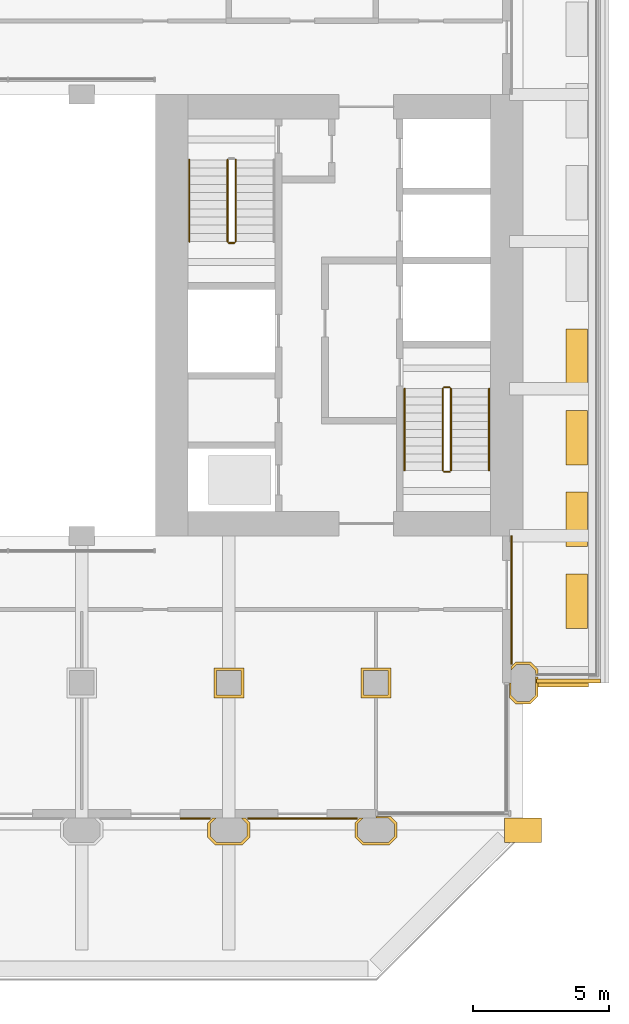
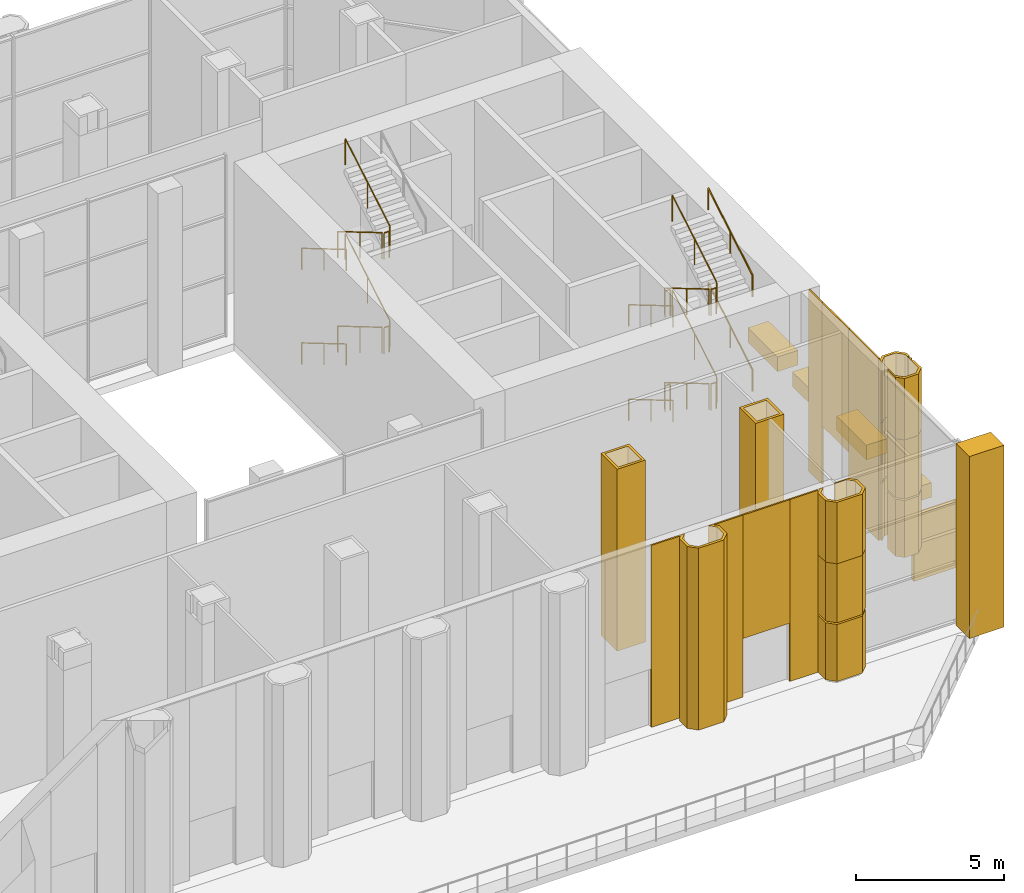
# One storey, part 16 of 20: 26 coverings, 20 railings.
"""IFC4 building model written with IfcOpenShell, lengths in metres."""

from ifc_helpers import new_model, si_unit, direction, frame, frame_2d, origin, origin_2d, place, context, subcontext, project, spatial, polyline, rectangle, circle, outline, extrude, material, layer, layer_set, type_object, element, save


model = new_model("IFC4")

# Units and contexts
model_context = context("Model", 3, precision=1e-05, world=origin(), true_north=direction((0.0, 1.0)))
body_context = subcontext(model_context, "Body", "Model", "MODEL_VIEW")
ifc_project = project(units=[si_unit("LENGTHUNIT", "METRE"), si_unit("AREAUNIT", "SQUARE_METRE"), si_unit("VOLUMEUNIT", "CUBIC_METRE"), si_unit("PLANEANGLEUNIT", "RADIAN"), si_unit("MASSUNIT", "GRAM", prefix="KILO")], contexts=[model_context])

# Site, building, storey
site_placement = place(None, origin())
site = spatial("IfcSite", under=ifc_project, at=site_placement, CompositionType="ELEMENT")
building_placement = place(site_placement, origin())
building = spatial("IfcBuilding", under=site, at=building_placement, Name="Tabaq Tower and Sports Hall", CompositionType="ELEMENT")
storey_placement = place(building_placement, frame((0.0, 0.0, 130.60009765625)))
storey = spatial("IfcBuildingStorey", under=building, at=storey_placement, Name="L31", CompositionType="ELEMENT", Elevation=130.60009765625)

# Coverings
ifc_material_1 = material(Name="Precast concrete C60/75", Category="concrete")
ifc_layer_1 = layer(ifc_material_1, 0.10009765625)
ifc_layer_set_1 = layer_set([ifc_layer_1], Name="Column cladding 100")
covering_type_1 = type_object("IfcCoveringType", Name="Column cladding 100", PredefinedType="CLADDING", material=ifc_layer_set_1)
covering_1_placement = place(storey_placement, origin())
element("IfcCovering", 1, at=covering_1_placement, inside=storey, type_object=covering_type_1, Name="Column cladding L31 PC-7B-S1", PredefinedType="CLADDING", context=body_context, shape_type="SweptSolid", body=[
    extrude(outline(polyline([(31.625244140625, 5.666259765625), (31.80859375, 5.849609375), (31.94921875, 5.849609375), (31.724609375, 5.625244140625), (31.724609375, 5.1748046875), (31.949951171875, 4.94970703125), (32.85009765625, 4.94970703125), (33.0751953125, 5.1748046875), (33.0751953125, 5.625244140625), (32.850830078125, 5.849609375), (32.9912109375, 5.849609375), (33.1748046875, 5.666259765625), (33.1748046875, 5.1337890625), (32.891357421875, 4.850341796875), (31.90869140625, 4.850341796875), (31.625244140625, 5.1337890625), (31.625244140625, 5.666259765625)])), origin(), (0.0, 0.0, 1.0), 7.5),
])
covering_2_placement = place(storey_placement, origin())
element("IfcCovering", 2, at=covering_2_placement, inside=storey, type_object=covering_type_1, Name="Column cladding L31 CC-7C-S1", PredefinedType="CLADDING", context=body_context, shape_type="SweptSolid", body=[
    extrude(outline(polyline([(31.850341796875, 11.349609375), (32.94970703125, 11.349609375), (32.94970703125, 10.250244140625), (31.850341796875, 10.250244140625), (31.850341796875, 11.349609375)]), holes=[polyline([(32.850341796875, 10.349609375), (32.850341796875, 11.250244140625), (31.94970703125, 11.250244140625), (31.94970703125, 10.349609375), (32.850341796875, 10.349609375)])]), origin(), (0.0, 0.0, 1.0), 7.5),
])
covering_3_placement = place(storey_placement, frame((0.0, 0.0, 0.114990234375)))
element("IfcCovering", 3, at=covering_3_placement, inside=storey, type_object=covering_type_1, Name="Column cladding L31 PC-8B-S1", PredefinedType="CLADDING", context=body_context, shape_type="SweptSolid", body=[
    extrude(outline(polyline([(37.025390625, 5.666259765625), (37.208740234375, 5.849609375), (37.349365234375, 5.849609375), (37.124755859375, 5.625244140625), (37.124755859375, 5.1748046875), (37.349853515625, 4.94970703125), (38.250244140625, 4.94970703125), (38.475341796875, 5.1748046875), (38.475341796875, 5.625244140625), (38.250244140625, 5.850341796875), (37.80029296875, 5.850341796875), (37.80029296875, 5.899658203125), (38.34130859375, 5.899658203125), (38.57470703125, 5.666259765625), (38.57470703125, 5.1337890625), (38.291259765625, 4.850341796875), (37.30859375, 4.850341796875), (37.025390625, 5.1337890625), (37.025390625, 5.666259765625)])), origin(), (0.0, 0.0, 1.0), 2.349853515625),
])
covering_4_placement = place(storey_placement, frame((0.0, 0.0, 2.534912109375)))
element("IfcCovering", 4, at=covering_4_placement, inside=storey, type_object=covering_type_1, Name="Column cladding L31 PC-8B-S1 2", PredefinedType="CLADDING", context=body_context, shape_type="SweptSolid", body=[
    extrude(outline(polyline([(37.025390625, 5.666259765625), (37.208740234375, 5.849609375), (37.349365234375, 5.849609375), (37.124755859375, 5.625244140625), (37.124755859375, 5.1748046875), (37.349853515625, 4.94970703125), (38.250244140625, 4.94970703125), (38.475341796875, 5.1748046875), (38.475341796875, 5.625244140625), (38.250244140625, 5.850341796875), (37.80029296875, 5.850341796875), (37.80029296875, 5.899658203125), (38.34130859375, 5.899658203125), (38.57470703125, 5.666259765625), (38.57470703125, 5.1337890625), (38.291259765625, 4.850341796875), (37.30859375, 4.850341796875), (37.025390625, 5.1337890625), (37.025390625, 5.666259765625)])), origin(), (0.0, 0.0, 1.0), 2.429931640625),
])
covering_5_placement = place(storey_placement, frame((0.0, 0.0, 4.96484375)))
element("IfcCovering", 5, at=covering_5_placement, inside=storey, type_object=covering_type_1, Name="Column cladding L31 PC-8B-S1 head", PredefinedType="CLADDING", context=body_context, shape_type="SweptSolid", body=[
    extrude(outline(polyline([(37.208740234375, 5.849609375), (37.349365234375, 5.849609375), (37.124755859375, 5.625244140625), (37.124755859375, 5.1748046875), (37.349853515625, 4.94970703125), (38.250244140625, 4.94970703125), (38.475341796875, 5.1748046875), (38.475341796875, 5.625244140625), (38.250244140625, 5.850341796875), (37.80029296875, 5.850341796875), (37.80029296875, 5.899658203125), (38.34130859375, 5.899658203125), (38.57470703125, 5.666259765625), (38.57470703125, 5.1337890625), (38.291259765625, 4.850341796875), (37.30859375, 4.850341796875), (37.025390625, 5.1337890625), (37.025390625, 5.666259765625), (37.208740234375, 5.849609375)])), origin(), (0.0, 0.0, 1.0), 2.53515625),
])
covering_6_placement = place(storey_placement, origin())
element("IfcCovering", 6, at=covering_6_placement, inside=storey, type_object=covering_type_1, Name="Column cladding L31 CC-8C-S1", PredefinedType="CLADDING", context=body_context, shape_type="SweptSolid", body=[
    extrude(outline(polyline([(37.250244140625, 11.349609375), (38.349609375, 11.349609375), (38.349609375, 10.250244140625), (37.250244140625, 10.250244140625), (37.250244140625, 11.349609375)]), holes=[polyline([(38.250244140625, 10.349609375), (38.250244140625, 11.250244140625), (37.349609375, 11.250244140625), (37.349609375, 10.349609375), (38.250244140625, 10.349609375)])]), origin(), (0.0, 0.0, 1.0), 7.5),
])
covering_7_placement = place(storey_placement, frame((0.0, 0.0, 0.114990234375)))
element("IfcCovering", 7, at=covering_7_placement, inside=storey, type_object=covering_type_1, Name="Column cladding L31 PC-9C-S1", PredefinedType="CLADDING", context=body_context, shape_type="SweptSolid", body=[
    extrude(outline(polyline([(42.93359375, 10.025390625), (42.7001953125, 10.2587890625), (42.7001953125, 10.7998046875), (42.749755859375, 10.7998046875), (42.749755859375, 10.349853515625), (42.974853515625, 10.124755859375), (43.425048828125, 10.124755859375), (43.650390625, 10.349853515625), (43.650390625, 11.009765625), (43.749755859375, 11.009765625), (43.749755859375, 10.9501953125), (43.69970703125, 10.9501953125), (43.69970703125, 10.7998046875), (43.749755859375, 10.7998046875), (43.749755859375, 10.30859375), (43.46630859375, 10.025390625), (42.93359375, 10.025390625)])), origin(), (0.0, 0.0, 1.0), 2.349853515625),
])
covering_8_placement = place(storey_placement, frame((0.0, 0.0, 0.114990234375)))
element("IfcCovering", 8, at=covering_8_placement, inside=storey, type_object=covering_type_1, Name="Column cladding L31 PC-9C-S1 2", PredefinedType="CLADDING", context=body_context, shape_type="SweptSolid", body=[
    extrude(outline(polyline([(42.93359375, 11.57470703125), (43.46630859375, 11.57470703125), (43.749755859375, 11.291259765625), (43.749755859375, 11.1103515625), (43.69970703125, 11.1103515625), (43.69970703125, 11.09033203125), (43.650390625, 11.09033203125), (43.650390625, 11.250244140625), (43.425048828125, 11.475341796875), (42.974853515625, 11.475341796875), (42.750244140625, 11.250732421875), (42.750244140625, 11.391357421875), (42.93359375, 11.57470703125)])), origin(), (0.0, 0.0, 1.0), 2.349853515625),
])
covering_9_placement = place(storey_placement, frame((0.0, 0.0, 2.534912109375)))
element("IfcCovering", 9, at=covering_9_placement, inside=storey, type_object=covering_type_1, Name="Column cladding L31 PC-9C-S1 2", PredefinedType="CLADDING", context=body_context, shape_type="SweptSolid", body=[
    extrude(outline(polyline([(42.93359375, 10.025390625), (42.7001953125, 10.2587890625), (42.7001953125, 10.7998046875), (42.749755859375, 10.7998046875), (42.749755859375, 10.349853515625), (42.974853515625, 10.124755859375), (43.425048828125, 10.124755859375), (43.650390625, 10.349853515625), (43.650390625, 11.009765625), (43.749755859375, 11.009765625), (43.749755859375, 10.9501953125), (43.69970703125, 10.9501953125), (43.69970703125, 10.7998046875), (43.749755859375, 10.7998046875), (43.749755859375, 10.30859375), (43.46630859375, 10.025390625), (42.93359375, 10.025390625)])), origin(), (0.0, 0.0, 1.0), 2.429931640625),
])
covering_10_placement = place(storey_placement, frame((0.0, 0.0, 2.534912109375)))
element("IfcCovering", 10, at=covering_10_placement, inside=storey, type_object=covering_type_1, Name="Column cladding L31 PC-9C-S1 2 2", PredefinedType="CLADDING", context=body_context, shape_type="SweptSolid", body=[
    extrude(outline(polyline([(42.93359375, 11.57470703125), (43.46630859375, 11.57470703125), (43.749755859375, 11.291259765625), (43.749755859375, 11.1103515625), (43.69970703125, 11.1103515625), (43.69970703125, 11.09033203125), (43.650390625, 11.09033203125), (43.650390625, 11.250244140625), (43.425048828125, 11.475341796875), (42.974853515625, 11.475341796875), (42.750244140625, 11.250732421875), (42.750244140625, 11.391357421875), (42.93359375, 11.57470703125)])), origin(), (0.0, 0.0, 1.0), 2.429931640625),
])
covering_11_placement = place(storey_placement, frame((0.0, 0.0, 4.96484375)))
element("IfcCovering", 11, at=covering_11_placement, inside=storey, type_object=covering_type_1, Name="Column cladding L31 PC-9C-S1 head", PredefinedType="CLADDING", context=body_context, shape_type="SweptSolid", body=[
    extrude(outline(polyline([(42.7001953125, 10.2587890625), (42.7001953125, 10.7998046875), (42.749755859375, 10.7998046875), (42.749755859375, 10.349853515625), (42.974853515625, 10.124755859375), (43.425048828125, 10.124755859375), (43.650390625, 10.349853515625), (43.650390625, 11.009765625), (43.749755859375, 11.009765625), (43.749755859375, 10.9501953125), (43.69970703125, 10.9501953125), (43.69970703125, 10.7998046875), (43.749755859375, 10.7998046875), (43.749755859375, 10.30859375), (43.46630859375, 10.025390625), (42.93359375, 10.025390625), (42.7001953125, 10.2587890625)])), origin(), (0.0, 0.0, 1.0), 2.53515625),
])
covering_12_placement = place(storey_placement, frame((0.0, 0.0, 4.96484375)))
element("IfcCovering", 12, at=covering_12_placement, inside=storey, type_object=covering_type_1, Name="Column cladding L31 PC-9C-S1 head 2", PredefinedType="CLADDING", context=body_context, shape_type="SweptSolid", body=[
    extrude(outline(polyline([(43.46630859375, 11.57470703125), (43.749755859375, 11.291259765625), (43.749755859375, 11.1103515625), (43.69970703125, 11.1103515625), (43.69970703125, 11.09033203125), (43.650390625, 11.09033203125), (43.650390625, 11.250244140625), (43.425048828125, 11.475341796875), (42.974853515625, 11.475341796875), (42.750244140625, 11.250732421875), (42.750244140625, 11.391357421875), (42.93359375, 11.57470703125), (43.46630859375, 11.57470703125)])), origin(), (0.0, 0.0, 1.0), 2.53515625),
])
ifc_material_2 = material(Name="White precast concrete C60/75", Category="concrete")
covering_type_2 = type_object("IfcCoveringType", Name="Pier cladding hung 1350x900", PredefinedType="CLADDING", material=ifc_material_2)
covering_13_placement = place(storey_placement, frame((42.52490234375, 5.39990234375, 0.0), z_axis=(0.0, 0.0, 1.0), x_axis=(1.0, 0.0, 0.0)))
element("IfcCovering", 13, at=covering_13_placement, inside=storey, type_object=covering_type_2, Name="Hung pier cladding 8/1", PredefinedType="CLADDING", context=body_context, shape_type="SweptSolid", body=[
    extrude(rectangle(XDim=1.35009765625, YDim=0.89990234375, at=frame_2d((0.675048828125, 0.0))), origin(), (0.0, 0.0, 1.0), 7.5),
])
ifc_material_3 = material(Name="Planting soil and drainage layer")
covering_type_3 = type_object("IfcCoveringType", Name="Planter 2000x800x600", PredefinedType="USERDEFINED", material=ifc_material_3)
for number, where, z_axis, x_axis, name in (
    (14, (45.169921875, 13.800048828125, -0.000244140625), (0.0, 0.0, 1.0), (0.0, 1.0, 0.0), "Planter L31"),
    (15, (45.169921875, 16.800048828125, -0.000244140625), (0.0, 0.0, 1.0), (0.0, 1.0, 0.0), "Planter L31"),
    (16, (45.169921875, 19.800048828125, -0.000244140625), (0.0, 0.0, 1.0), (0.0, 1.0, 0.0), "Planter L31"),
    (17, (45.169921875, 22.800048828125, -0.000244140625), (0.0, 0.0, 1.0), (0.0, 1.0, 0.0), "Planter L31"),
):
    element("IfcCovering", number, at=place(storey_placement, frame(where, z_axis=z_axis, x_axis=x_axis)), inside=storey, type_object=covering_type_3, Name=name, ObjectType="PLANTER", PredefinedType="USERDEFINED", context=body_context, shape_type="SweptSolid", body=[
        extrude(rectangle(XDim=2.0, YDim=0.800048828125, at=origin_2d()), origin(), (0.0, 0.0, 1.0), 0.60009765625),
    ])

# Railings
ifc_material_4 = material(Name="Stainless steel", Category="steel")
railing_type_1 = type_object("IfcRailingType", Name="Stair guard", PredefinedType="GUARDRAIL", material=ifc_material_4)
railing_1_placement = place(storey_placement, frame((40.25, 21.60009765625, 0.17724609375)))
element("IfcRailing", 18, at=railing_1_placement, inside=storey, type_object=railing_type_1, Name="L31 ST3 stair guard 1", PredefinedType="GUARDRAIL", context=body_context, shape_type="SweptSolid", body=[
    extrude(circle(Radius=0.02392578125, at=origin_2d()), frame((0.0, 0.0, 1.076171875), z_axis=(0.0, -0.86092931783, 0.508724591208), x_axis=(1.0, 0.0, 0.0)), (0.0, 0.0, 1.0), 3.484619140625),
    extrude(circle(Radius=0.02099609375, at=origin_2d()), origin(), (0.0, 0.0, 1.0), 1.052001953125),
    extrude(circle(Radius=0.02099609375, at=origin_2d()), frame((0.0, -1.5, 0.88623046875)), (0.0, 0.0, 1.0), 1.052001953125),
    extrude(circle(Radius=0.02099609375, at=origin_2d()), frame((0.0, -3.0, 1.772705078125)), (0.0, 0.0, 1.0), 1.052001953125),
])
railing_2_placement = place(storey_placement, frame((40.300048828125, 18.550048828125, 1.949951171875)))
element("IfcRailing", 19, at=railing_2_placement, inside=storey, type_object=railing_type_1, Name="L31 ST3 stair guard 2", PredefinedType="GUARDRAIL", context=body_context, shape_type="SweptSolid", body=[
    extrude(circle(Radius=0.02392578125, at=origin_2d()), frame((0.0, 0.0, 1.076171875), z_axis=(1.0, 0.0, 0.0), x_axis=(0.0, 1.0, 0.0)), (0.0, 0.0, 1.0), 0.199951171875),
    extrude(circle(Radius=0.02099609375, at=origin_2d()), origin(), (0.0, 0.0, 1.0), 1.052001953125),
    extrude(circle(Radius=0.02099609375, at=origin_2d()), frame((0.199951171875, 0.0, 0.0)), (0.0, 0.0, 1.0), 1.052001953125),
])
railing_3_placement = place(storey_placement, frame((40.550048828125, 18.60009765625, 2.127197265625)))
element("IfcRailing", 20, at=railing_3_placement, inside=storey, type_object=railing_type_1, Name="L31 ST3 stair guard 3", PredefinedType="GUARDRAIL", context=body_context, shape_type="SweptSolid", body=[
    extrude(circle(Radius=0.02392578125, at=origin_2d()), frame((0.0, 0.0, 1.076171875), z_axis=(0.0, 0.86092931783, 0.508724591208), x_axis=(-1.0, 0.0, 0.0)), (0.0, 0.0, 1.0), 3.484619140625),
    extrude(circle(Radius=0.02099609375, at=origin_2d()), origin(), (0.0, 0.0, 1.0), 1.052001953125),
    extrude(circle(Radius=0.02099609375, at=origin_2d()), frame((0.0, 1.5, 0.88623046875)), (0.0, 0.0, 1.0), 1.052001953125),
    extrude(circle(Radius=0.02099609375, at=origin_2d()), frame((0.0, 3.0, 1.772705078125)), (0.0, 0.0, 1.0), 1.052001953125),
])
railing_4_placement = place(storey_placement, frame((40.300048828125, 21.64990234375, 3.89990234375)))
element("IfcRailing", 21, at=railing_4_placement, inside=storey, type_object=railing_type_1, Name="L31 ST3 stair guard 4", PredefinedType="GUARDRAIL", context=body_context, shape_type="SweptSolid", body=[
    extrude(circle(Radius=0.02392578125, at=origin_2d()), frame((0.0, 0.0, 1.076171875), z_axis=(1.0, 0.0, 0.0), x_axis=(0.0, 1.0, 0.0)), (0.0, 0.0, 1.0), 0.199951171875),
    extrude(circle(Radius=0.02099609375, at=origin_2d()), origin(), (0.0, 0.0, 1.0), 1.052001953125),
    extrude(circle(Radius=0.02099609375, at=origin_2d()), frame((0.199951171875, 0.0, 0.0)), (0.0, 0.0, 1.0), 1.052001953125),
])
railing_5_placement = place(storey_placement, frame((40.25, 21.60009765625, 4.0771484375)))
element("IfcRailing", 22, at=railing_5_placement, inside=storey, type_object=railing_type_1, Name="L31 ST3 stair guard 5", PredefinedType="GUARDRAIL", context=body_context, shape_type="SweptSolid", body=[
    extrude(circle(Radius=0.02392578125, at=origin_2d()), frame((0.0, 0.0, 1.076171875), z_axis=(0.0, -0.86092931783, 0.508724591208), x_axis=(1.0, 0.0, 0.0)), (0.0, 0.0, 1.0), 3.484619140625),
    extrude(circle(Radius=0.02099609375, at=origin_2d()), origin(), (0.0, 0.0, 1.0), 1.052001953125),
    extrude(circle(Radius=0.02099609375, at=origin_2d()), frame((0.0, -1.5, 0.88623046875)), (0.0, 0.0, 1.0), 1.052001953125),
    extrude(circle(Radius=0.02099609375, at=origin_2d()), frame((0.0, -3.0, 1.772705078125)), (0.0, 0.0, 1.0), 1.052001953125),
])
railing_6_placement = place(storey_placement, frame((40.300048828125, 18.550048828125, 5.849853515625)))
element("IfcRailing", 23, at=railing_6_placement, inside=storey, type_object=railing_type_1, Name="L31 ST3 stair guard 6", PredefinedType="GUARDRAIL", context=body_context, shape_type="SweptSolid", body=[
    extrude(circle(Radius=0.02392578125, at=origin_2d()), frame((0.0, 0.0, 1.076171875), z_axis=(1.0, 0.0, 0.0), x_axis=(0.0, 1.0, 0.0)), (0.0, 0.0, 1.0), 0.199951171875),
    extrude(circle(Radius=0.02099609375, at=origin_2d()), origin(), (0.0, 0.0, 1.0), 1.052001953125),
    extrude(circle(Radius=0.02099609375, at=origin_2d()), frame((0.199951171875, 0.0, 0.0)), (0.0, 0.0, 1.0), 1.052001953125),
])
railing_7_placement = place(storey_placement, frame((40.550048828125, 18.60009765625, 6.027099609375)))
element("IfcRailing", 24, at=railing_7_placement, inside=storey, type_object=railing_type_1, Name="L31 ST3 stair guard 7", PredefinedType="GUARDRAIL", context=body_context, shape_type="SweptSolid", body=[
    extrude(circle(Radius=0.02392578125, at=origin_2d()), frame((0.0, 0.0, 1.076171875), z_axis=(0.0, 0.86092931783, 0.508724591208), x_axis=(-1.0, 0.0, 0.0)), (0.0, 0.0, 1.0), 3.484619140625),
    extrude(circle(Radius=0.02099609375, at=origin_2d()), origin(), (0.0, 0.0, 1.0), 1.052001953125),
    extrude(circle(Radius=0.02099609375, at=origin_2d()), frame((0.0, 1.5, 0.88623046875)), (0.0, 0.0, 1.0), 1.052001953125),
    extrude(circle(Radius=0.02099609375, at=origin_2d()), frame((0.0, 3.0, 1.772705078125)), (0.0, 0.0, 1.0), 1.052001953125),
])
railing_8_placement = place(storey_placement, frame((40.300048828125, 21.64990234375, 0.0)))
element("IfcRailing", 25, at=railing_8_placement, inside=storey, type_object=railing_type_1, Name="L31 ST3 stair guard 8", PredefinedType="GUARDRAIL", context=body_context, shape_type="SweptSolid", body=[
    extrude(circle(Radius=0.02392578125, at=origin_2d()), frame((0.0, 0.0, 1.076171875), z_axis=(1.0, 0.0, 0.0), x_axis=(0.0, 1.0, 0.0)), (0.0, 0.0, 1.0), 0.199951171875),
    extrude(circle(Radius=0.02099609375, at=origin_2d()), origin(), (0.0, 0.0, 1.0), 1.052001953125),
    extrude(circle(Radius=0.02099609375, at=origin_2d()), frame((0.199951171875, 0.0, 0.0)), (0.0, 0.0, 1.0), 1.052001953125),
])
railing_9_placement = place(storey_placement, frame((32.35009765625, 30.0, 0.17724609375)))
element("IfcRailing", 26, at=railing_9_placement, inside=storey, type_object=railing_type_1, Name="L31 ST4 stair guard 1", PredefinedType="GUARDRAIL", context=body_context, shape_type="SweptSolid", body=[
    extrude(circle(Radius=0.02392578125, at=origin_2d()), frame((0.0, 0.0, 1.076171875), z_axis=(0.0, -0.86092931783, 0.508724591208), x_axis=(1.0, 0.0, 0.0)), (0.0, 0.0, 1.0), 3.484619140625),
    extrude(circle(Radius=0.02099609375, at=origin_2d()), origin(), (0.0, 0.0, 1.0), 1.052001953125),
    extrude(circle(Radius=0.02099609375, at=origin_2d()), frame((0.0, -1.5, 0.88623046875)), (0.0, 0.0, 1.0), 1.052001953125),
    extrude(circle(Radius=0.02099609375, at=origin_2d()), frame((0.0, -3.0, 1.772705078125)), (0.0, 0.0, 1.0), 1.052001953125),
])
railing_10_placement = place(storey_placement, frame((32.39990234375, 26.949951171875, 1.949951171875)))
element("IfcRailing", 27, at=railing_10_placement, inside=storey, type_object=railing_type_1, Name="L31 ST4 stair guard 2", PredefinedType="GUARDRAIL", context=body_context, shape_type="SweptSolid", body=[
    extrude(circle(Radius=0.02392578125, at=origin_2d()), frame((0.0, 0.0, 1.076171875), z_axis=(1.0, 0.0, 0.0), x_axis=(0.0, 1.0, 0.0)), (0.0, 0.0, 1.0), 0.2001953125),
    extrude(circle(Radius=0.02099609375, at=origin_2d()), origin(), (0.0, 0.0, 1.0), 1.052001953125),
    extrude(circle(Radius=0.02099609375, at=origin_2d()), frame((0.2001953125, 0.0, 0.0)), (0.0, 0.0, 1.0), 1.052001953125),
])
railing_11_placement = place(storey_placement, frame((32.64990234375, 27.0, 2.127197265625)))
element("IfcRailing", 28, at=railing_11_placement, inside=storey, type_object=railing_type_1, Name="L31 ST4 stair guard 3", PredefinedType="GUARDRAIL", context=body_context, shape_type="SweptSolid", body=[
    extrude(circle(Radius=0.02392578125, at=origin_2d()), frame((0.0, 0.0, 1.076171875), z_axis=(0.0, 0.86092931783, 0.508724591208), x_axis=(-1.0, 0.0, 0.0)), (0.0, 0.0, 1.0), 3.484619140625),
    extrude(circle(Radius=0.02099609375, at=origin_2d()), origin(), (0.0, 0.0, 1.0), 1.052001953125),
    extrude(circle(Radius=0.02099609375, at=origin_2d()), frame((0.0, 1.5, 0.88623046875)), (0.0, 0.0, 1.0), 1.052001953125),
    extrude(circle(Radius=0.02099609375, at=origin_2d()), frame((0.0, 3.0, 1.772705078125)), (0.0, 0.0, 1.0), 1.052001953125),
])
railing_12_placement = place(storey_placement, frame((32.35009765625, 30.0, 4.0771484375)))
element("IfcRailing", 29, at=railing_12_placement, inside=storey, type_object=railing_type_1, Name="L31 ST4 stair guard 5", PredefinedType="GUARDRAIL", context=body_context, shape_type="SweptSolid", body=[
    extrude(circle(Radius=0.02392578125, at=origin_2d()), frame((0.0, 0.0, 1.076171875), z_axis=(0.0, -0.86092931783, 0.508724591208), x_axis=(1.0, 0.0, 0.0)), (0.0, 0.0, 1.0), 3.484619140625),
    extrude(circle(Radius=0.02099609375, at=origin_2d()), origin(), (0.0, 0.0, 1.0), 1.052001953125),
    extrude(circle(Radius=0.02099609375, at=origin_2d()), frame((0.0, -1.5, 0.88623046875)), (0.0, 0.0, 1.0), 1.052001953125),
    extrude(circle(Radius=0.02099609375, at=origin_2d()), frame((0.0, -3.0, 1.772705078125)), (0.0, 0.0, 1.0), 1.052001953125),
])
railing_13_placement = place(storey_placement, frame((32.39990234375, 26.949951171875, 5.849853515625)))
element("IfcRailing", 30, at=railing_13_placement, inside=storey, type_object=railing_type_1, Name="L31 ST4 stair guard 6", PredefinedType="GUARDRAIL", context=body_context, shape_type="SweptSolid", body=[
    extrude(circle(Radius=0.02392578125, at=origin_2d()), frame((0.0, 0.0, 1.076171875), z_axis=(1.0, 0.0, 0.0), x_axis=(0.0, 1.0, 0.0)), (0.0, 0.0, 1.0), 0.2001953125),
    extrude(circle(Radius=0.02099609375, at=origin_2d()), origin(), (0.0, 0.0, 1.0), 1.052001953125),
    extrude(circle(Radius=0.02099609375, at=origin_2d()), frame((0.2001953125, 0.0, 0.0)), (0.0, 0.0, 1.0), 1.052001953125),
])
railing_14_placement = place(storey_placement, frame((32.64990234375, 27.0, 6.027099609375)))
element("IfcRailing", 31, at=railing_14_placement, inside=storey, type_object=railing_type_1, Name="L31 ST4 stair guard 7", PredefinedType="GUARDRAIL", context=body_context, shape_type="SweptSolid", body=[
    extrude(circle(Radius=0.02392578125, at=origin_2d()), frame((0.0, 0.0, 1.076171875), z_axis=(0.0, 0.86092931783, 0.508724591208), x_axis=(-1.0, 0.0, 0.0)), (0.0, 0.0, 1.0), 3.484619140625),
    extrude(circle(Radius=0.02099609375, at=origin_2d()), origin(), (0.0, 0.0, 1.0), 1.052001953125),
    extrude(circle(Radius=0.02099609375, at=origin_2d()), frame((0.0, 1.5, 0.88623046875)), (0.0, 0.0, 1.0), 1.052001953125),
    extrude(circle(Radius=0.02099609375, at=origin_2d()), frame((0.0, 3.0, 1.772705078125)), (0.0, 0.0, 1.0), 1.052001953125),
])
ifc_material_5 = material(Name="Stainless steel", Category="steel")
railing_type_2 = type_object("IfcRailingType", Name="Stair handrail", PredefinedType="HANDRAIL", material=ifc_material_5)
railing_15_placement = place(storey_placement, frame((38.85009765625, 21.60009765625, 0.17724609375)))
element("IfcRailing", 32, at=railing_15_placement, inside=storey, type_object=railing_type_2, Name="L31 ST3 stair handrail 1", PredefinedType="HANDRAIL", context=body_context, shape_type="SweptSolid", body=[
    extrude(circle(Radius=0.02392578125, at=origin_2d()), frame((0.0, 0.0, 0.8759765625), z_axis=(0.0, -0.86092931783, 0.508724591208), x_axis=(1.0, 0.0, 0.0)), (0.0, 0.0, 1.0), 3.484619140625),
    extrude(circle(Radius=0.02099609375, at=origin_2d()), origin(), (0.0, 0.0, 1.0), 0.851806640625),
    extrude(circle(Radius=0.02099609375, at=origin_2d()), frame((0.0, -1.5, 0.88623046875)), (0.0, 0.0, 1.0), 0.851806640625),
    extrude(circle(Radius=0.02099609375, at=origin_2d()), frame((0.0, -3.0, 1.772705078125)), (0.0, 0.0, 1.0), 0.851806640625),
])
railing_16_placement = place(storey_placement, frame((41.949951171875, 18.60009765625, 2.127197265625)))
element("IfcRailing", 33, at=railing_16_placement, inside=storey, type_object=railing_type_2, Name="L31 ST3 stair handrail 2", PredefinedType="HANDRAIL", context=body_context, shape_type="SweptSolid", body=[
    extrude(circle(Radius=0.02392578125, at=origin_2d()), frame((0.0, 0.0, 0.8759765625), z_axis=(0.0, 0.86092931783, 0.508724591208), x_axis=(-1.0, 0.0, 0.0)), (0.0, 0.0, 1.0), 3.484619140625),
    extrude(circle(Radius=0.02099609375, at=origin_2d()), origin(), (0.0, 0.0, 1.0), 0.851806640625),
    extrude(circle(Radius=0.02099609375, at=origin_2d()), frame((0.0, 1.5, 0.88623046875)), (0.0, 0.0, 1.0), 0.851806640625),
    extrude(circle(Radius=0.02099609375, at=origin_2d()), frame((0.0, 3.0, 1.772705078125)), (0.0, 0.0, 1.0), 0.851806640625),
])
railing_17_placement = place(storey_placement, frame((38.85009765625, 21.60009765625, 4.0771484375)))
element("IfcRailing", 34, at=railing_17_placement, inside=storey, type_object=railing_type_2, Name="L31 ST3 stair handrail 3", PredefinedType="HANDRAIL", context=body_context, shape_type="SweptSolid", body=[
    extrude(circle(Radius=0.02392578125, at=origin_2d()), frame((0.0, 0.0, 0.8759765625), z_axis=(0.0, -0.86092931783, 0.508724591208), x_axis=(1.0, 0.0, 0.0)), (0.0, 0.0, 1.0), 3.484619140625),
    extrude(circle(Radius=0.02099609375, at=origin_2d()), origin(), (0.0, 0.0, 1.0), 0.851806640625),
    extrude(circle(Radius=0.02099609375, at=origin_2d()), frame((0.0, -1.5, 0.88623046875)), (0.0, 0.0, 1.0), 0.851806640625),
    extrude(circle(Radius=0.02099609375, at=origin_2d()), frame((0.0, -3.0, 1.772705078125)), (0.0, 0.0, 1.0), 0.851806640625),
])
railing_18_placement = place(storey_placement, frame((41.949951171875, 18.60009765625, 6.027099609375)))
element("IfcRailing", 35, at=railing_18_placement, inside=storey, type_object=railing_type_2, Name="L31 ST3 stair handrail 4", PredefinedType="HANDRAIL", context=body_context, shape_type="SweptSolid", body=[
    extrude(circle(Radius=0.02392578125, at=origin_2d()), frame((0.0, 0.0, 0.8759765625), z_axis=(0.0, 0.86092931783, 0.508724591208), x_axis=(-1.0, 0.0, 0.0)), (0.0, 0.0, 1.0), 3.484619140625),
    extrude(circle(Radius=0.02099609375, at=origin_2d()), origin(), (0.0, 0.0, 1.0), 0.851806640625),
    extrude(circle(Radius=0.02099609375, at=origin_2d()), frame((0.0, 1.5, 0.88623046875)), (0.0, 0.0, 1.0), 0.851806640625),
    extrude(circle(Radius=0.02099609375, at=origin_2d()), frame((0.0, 3.0, 1.772705078125)), (0.0, 0.0, 1.0), 0.851806640625),
])
for number, where, name in (
    (36, (30.949951171875, 30.0, 0.17724609375), "L31 ST4 stair handrail 1"),
    (37, (30.949951171875, 30.0, 4.0771484375), "L31 ST4 stair handrail 3"),
):
    element("IfcRailing", number, at=place(storey_placement, frame(where)), inside=storey, type_object=railing_type_2, Name=name, PredefinedType="HANDRAIL", context=body_context, shape_type="SweptSolid", body=[
        extrude(circle(Radius=0.02392578125, at=origin_2d()), frame((0.0, 0.0, 0.8759765625), z_axis=(0.0, -0.86092931783, 0.508724591208), x_axis=(1.0, 0.0, 0.0)), (0.0, 0.0, 1.0), 3.484619140625),
        extrude(circle(Radius=0.02099609375, at=origin_2d()), origin(), (0.0, 0.0, 1.0), 0.851806640625),
        extrude(circle(Radius=0.02099609375, at=origin_2d()), frame((0.0, -1.5, 0.88623046875)), (0.0, 0.0, 1.0), 0.851806640625),
        extrude(circle(Radius=0.02099609375, at=origin_2d()), frame((0.0, -3.0, 1.772705078125)), (0.0, 0.0, 1.0), 0.851806640625),
    ])

# Coverings
ifc_material_6 = material(Name="Precast concrete C60/75", Category="concrete")
ifc_layer_2 = layer(ifc_material_6, 0.14990234375)
ifc_layer_set_2 = layer_set([ifc_layer_2], Name="Tray fascia 1200")
covering_type_4 = type_object("IfcCoveringType", Name="Tray fascia 1200", PredefinedType="CLADDING", material=ifc_layer_set_2)
covering_14_placement = place(storey_placement, frame((43.64990234375, 10.72509765625, -1.5), z_axis=(0.0, 0.0, 1.0), x_axis=(1.0, 0.0, 0.0)))
element("IfcCovering", 38, at=covering_14_placement, inside=storey, type_object=covering_type_4, Name="Tray fascia L31 EBT", PredefinedType="CLADDING", context=body_context, shape_type="SweptSolid", body=[
    extrude(rectangle(XDim=1.9501953125, YDim=0.14990234375, at=frame_2d((0.97509765625, 0.0))), origin(), (0.0, 0.0, 1.0), 1.5),
])
ifc_material_7 = material(Name="Precast concrete C60/75", Category="concrete")
ifc_layer_3 = layer(ifc_material_7, 0.14990234375)
ifc_layer_set_3 = layer_set([ifc_layer_3], Name="Tray upstand cladding 1100")
covering_type_5 = type_object("IfcCoveringType", Name="Tray upstand cladding 1100", PredefinedType="CLADDING", material=ifc_layer_set_3)
covering_15_placement = place(storey_placement, frame((43.699951171875, 10.875, 0.0), z_axis=(0.0, 0.0, 1.0), x_axis=(1.0, 0.0, 0.0)))
element("IfcCovering", 39, at=covering_15_placement, inside=storey, type_object=covering_type_5, Name="Tray upstand cladding L31", PredefinedType="CLADDING", context=body_context, shape_type="SweptSolid", body=[
    extrude(rectangle(XDim=2.35009765625, YDim=0.14990234375, at=frame_2d((1.175048828125, 0.0))), origin(), (0.0, 0.0, 1.0), 1.099853515625),
])
ifc_material_8 = material(Name="Precast concrete C60/75", Category="concrete")
ifc_layer_4 = layer(ifc_material_8, 0.06005859375)
ifc_layer_set_4 = layer_set([ifc_layer_4], Name="White precast cladding panel 60 C60/75")
covering_type_6 = type_object("IfcCoveringType", Name="White precast cladding panel 60 C60/75", PredefinedType="CLADDING", material=ifc_layer_set_4)
for number, where, z_axis, x_axis, name in (
    (40, (30.610107421875, 5.820068359375, 0.0), (0.0, 0.0, 1.0), (1.0, 0.0, 0.0), "White precast cladding panel L31 infill00-0-0 18"),
    (41, (33.0849609375, 5.820068359375, 0.0), (0.0, 0.0, 1.0), (1.0, 0.0, 0.0), "White precast cladding panel L31 infill00-0-0 19"),
):
    element("IfcCovering", number, at=place(storey_placement, frame(where, z_axis=z_axis, x_axis=x_axis)), inside=storey, type_object=covering_type_6, Name=name, PredefinedType="CLADDING", context=body_context, shape_type="SweptSolid", body=[
        extrude(rectangle(XDim=1.10498046875, YDim=0.06005859375, at=frame_2d((0.552490234375, 0.0))), origin(), (0.0, 0.0, 1.0), 7.5),
    ])
covering_16_placement = place(storey_placement, frame((34.18994140625, 5.820068359375, 2.409912109375), z_axis=(0.0, 0.0, 1.0), x_axis=(1.0, 0.0, 0.0)))
element("IfcCovering", 42, at=covering_16_placement, inside=storey, type_object=covering_type_6, Name="White precast cladding panel L31 infill00-0-0 20", PredefinedType="CLADDING", context=body_context, shape_type="SweptSolid", body=[
    extrude(rectangle(XDim=1.820068359375, YDim=0.06005859375, at=frame_2d((0.91015625, 0.0))), origin(), (0.0, 0.0, 1.0), 5.090087890625),
])
covering_17_placement = place(storey_placement, frame((36.010009765625, 5.820068359375, 0.0), z_axis=(0.0, 0.0, 1.0), x_axis=(1.0, 0.0, 0.0)))
element("IfcCovering", 43, at=covering_17_placement, inside=storey, type_object=covering_type_6, Name="White precast cladding panel L31 infill00-0-0 21", PredefinedType="CLADDING", context=body_context, shape_type="SweptSolid", body=[
    extrude(rectangle(XDim=1.10498046875, YDim=0.06005859375, at=frame_2d((0.552490234375, 0.0))), origin(), (0.0, 0.0, 1.0), 7.5),
])
covering_18_placement = place(storey_placement, frame((42.780029296875, 11.485107421875, 0.0), z_axis=(0.0, 0.0, 1.0), x_axis=(0.0, 1.0, 0.0)))
element("IfcCovering", 44, at=covering_18_placement, inside=storey, type_object=covering_type_6, Name="White precast cladding panel L31 infill01-0-1", PredefinedType="CLADDING", context=body_context, shape_type="SweptSolid", body=[
    extrude(rectangle(XDim=2.0048828125, YDim=0.06005859375, at=frame_2d((1.00244140625, 0.0))), origin(), (0.0, 0.0, 1.0), 7.5),
])
covering_19_placement = place(storey_placement, frame((42.780029296875, 13.489990234375, 2.409912109375), z_axis=(0.0, 0.0, 1.0), x_axis=(0.0, 1.0, 0.0)))
element("IfcCovering", 45, at=covering_19_placement, inside=storey, type_object=covering_type_6, Name="White precast cladding panel L31 infill01-0-1 2", PredefinedType="CLADDING", context=body_context, shape_type="SweptSolid", body=[
    extrude(rectangle(XDim=1.820068359375, YDim=0.06005859375, at=frame_2d((0.91015625, 0.0))), origin(), (0.0, 0.0, 1.0), 5.090087890625),
])
covering_20_placement = place(storey_placement, frame((42.780029296875, 15.31005859375, 0.0), z_axis=(0.0, 0.0, 1.0), x_axis=(0.0, 1.0, 0.0)))
element("IfcCovering", 46, at=covering_20_placement, inside=storey, type_object=covering_type_6, Name="White precast cladding panel L31 infill01-0-1 3", PredefinedType="CLADDING", context=body_context, shape_type="SweptSolid", body=[
    extrude(rectangle(XDim=0.889892578125, YDim=0.06005859375, at=frame_2d((0.44482421875, 0.0))), origin(), (0.0, 0.0, 1.0), 7.5),
])

save(model, "model.ifc")
